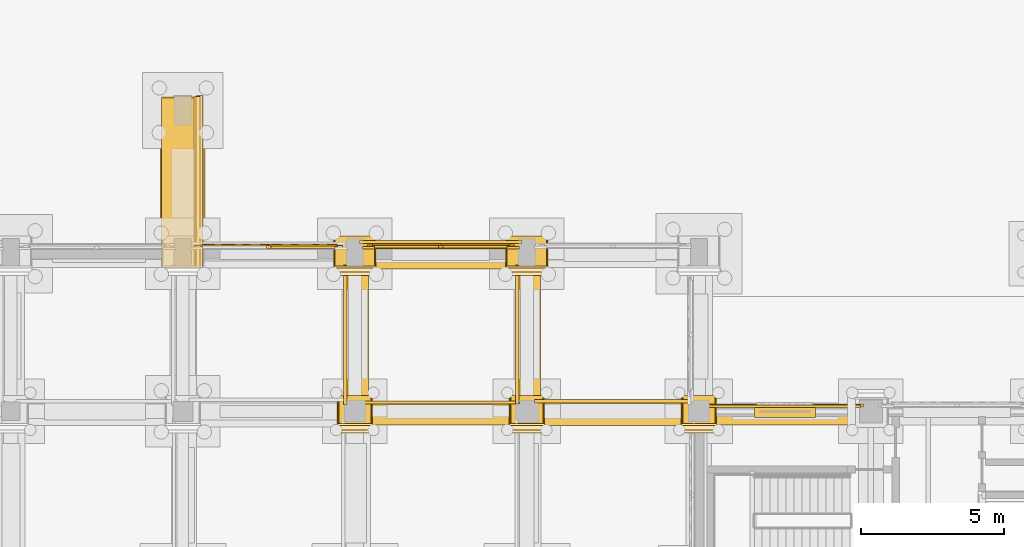
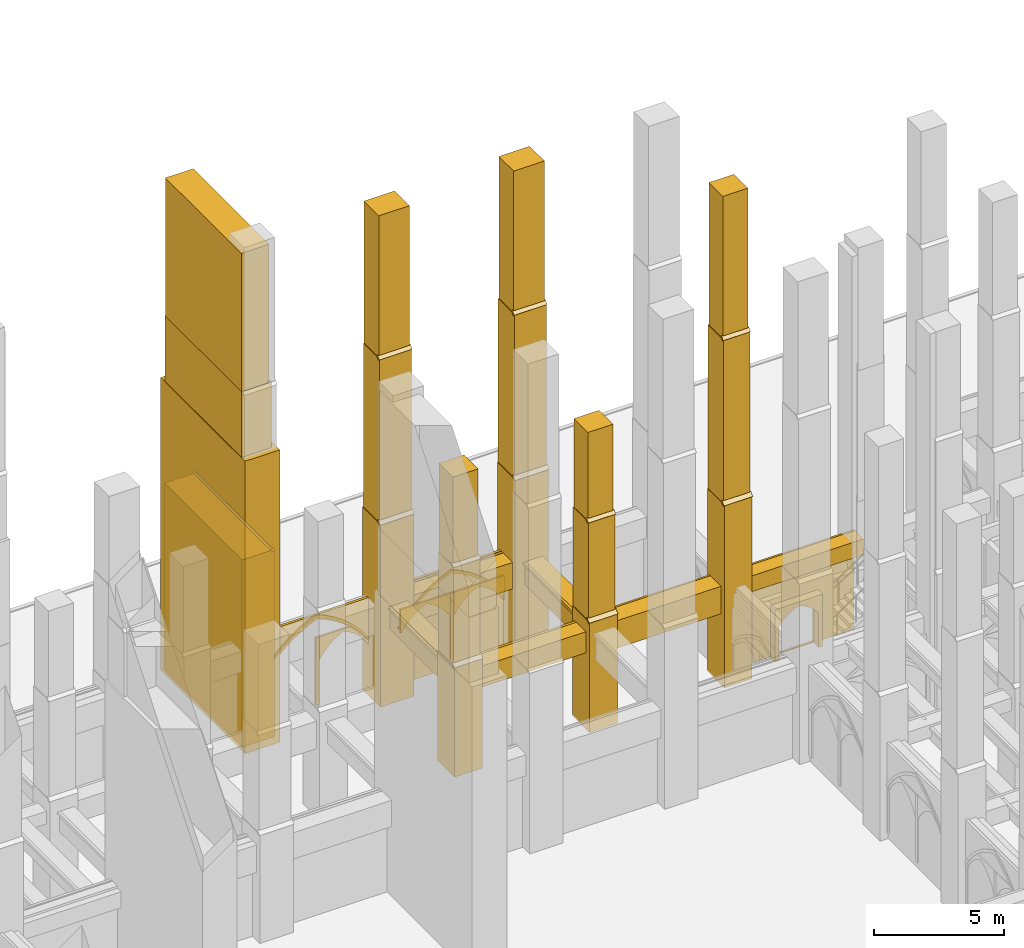
# One storey, part 119 of 135: 55 coverings.
"""IFC4 building model written with IfcOpenShell, lengths in metres."""

from ifc_helpers import new_model, si_unit, direction, frame, origin, origin_2d, place, context, subcontext, project, spatial, polyline, rectangle, outline, extrude, material, type_object, element, save


model = new_model("IFC4")

# Units and contexts
model_context = context("Model", 3, precision=1e-05, world=origin(), true_north=direction((0.0, 1.0)))
body_context = subcontext(model_context, "Body", "Model", "MODEL_VIEW")
ifc_project = project(units=[si_unit("LENGTHUNIT", "METRE"), si_unit("AREAUNIT", "SQUARE_METRE"), si_unit("VOLUMEUNIT", "CUBIC_METRE"), si_unit("PLANEANGLEUNIT", "RADIAN"), si_unit("MASSUNIT", "GRAM", prefix="KILO")], contexts=[model_context])

# Site, building, storey
site_placement = place(None, origin())
site = spatial("IfcSite", under=ifc_project, at=site_placement, CompositionType="ELEMENT")
building_placement = place(site_placement, origin())
building = spatial("IfcBuilding", under=site, at=building_placement, Name="Cumevento Cable Car Station", CompositionType="ELEMENT")
storey_placement = place(building_placement, origin())
storey = spatial("IfcBuildingStorey", under=building, at=storey_placement, Name="L01", CompositionType="ELEMENT", Elevation=0.0)

# Coverings
ifc_material = material(Name="Gnaisse Facoidal Stone Ashlar 85 MPa", Category="masonry")
covering_type = type_object("IfcCoveringType", Name="Gnaisse Ashlar Cladding CV-CL01", PredefinedType="CLADDING", material=ifc_material)
covering_1_placement = place(storey_placement, frame((106.0, 50.909912109375, -0.06005859375), z_axis=(0.0, 0.0, 1.0), x_axis=(1.0, 0.0, 0.0)))
element("IfcCovering", 1, at=covering_1_placement, inside=storey, type_object=covering_type, Name="Stepped Gothic Stone Buttress Tier 1 bt:106.0:51.0", PredefinedType="CLADDING", context=body_context, shape_type="SweptSolid", body=[
    extrude(rectangle(XDim=1.239990234375, YDim=1.300048828125, at=origin_2d()), origin(), (0.0, 0.0, 1.0), 5.175537109375),
])
covering_2_placement = place(storey_placement, frame((105.360107421875, 50.239990234375, 5.095703125), z_axis=(0.0, -0.711135781079, 0.703054692658), x_axis=(1.0, 0.0, 0.0)))
element("IfcCovering", 2, at=covering_2_placement, inside=storey, type_object=covering_type, Name="Gothic Buttress Sloped Stone Weathering 1 bt:106.0:51.0", PredefinedType="CLADDING", context=body_context, shape_type="SweptSolid", body=[
    extrude(outline(polyline([(0.0, 0.0), (1.27978515625, 0.0), (1.27978515625, 0.24169083397703695), (0.0, 0.24169083397703695), (0.0, 0.0)])), origin(), (0.0, 0.0, -1.0), 0.090087890625),
])
covering_3_placement = place(storey_placement, frame((106.0, 50.969970703125, 4.84326171875), z_axis=(0.0, 0.0, 1.0), x_axis=(1.0, 0.0, 0.0)))
element("IfcCovering", 3, at=covering_3_placement, inside=storey, type_object=covering_type, Name="Stepped Gothic Stone Buttress Tier 2 bt:106.0:51.0", PredefinedType="CLADDING", context=body_context, shape_type="SweptSolid", body=[
    extrude(rectangle(XDim=1.179931640625, YDim=1.179931640625, at=origin_2d()), origin(), (0.0, 0.0, 1.0), 4.9033203125),
])
covering_4_placement = place(storey_placement, frame((105.389892578125, 50.360107421875, 9.726318359375), z_axis=(0.0, -0.714474823669, 0.699661151089), x_axis=(1.0, 0.0, 0.0)))
element("IfcCovering", 4, at=covering_4_placement, inside=storey, type_object=covering_type, Name="Gothic Buttress Sloped Stone Weathering 2 bt:106.0:51.0", PredefinedType="CLADDING", context=body_context, shape_type="SweptSolid", body=[
    extrude(outline(polyline([(0.0, 0.0), (1.22021484375, 0.0), (1.22021484375, 0.21424991728737655), (0.0, 0.21424991728737655), (0.0, 0.0)])), origin(), (0.0, 0.0, -1.0), 0.090087890625),
])
covering_5_placement = place(storey_placement, frame((106.0, 51.02001953125, 9.47412109375), z_axis=(0.0, 0.0, 1.0), x_axis=(1.0, 0.0, 0.0)))
element("IfcCovering", 5, at=covering_5_placement, inside=storey, type_object=covering_type, Name="Stepped Gothic Stone Buttress Tier 3 bt:106.0:51.0", PredefinedType="CLADDING", context=body_context, shape_type="SweptSolid", body=[
    extrude(rectangle(XDim=1.1201171875, YDim=1.080078125, at=origin_2d()), origin(), (0.0, 0.0, 1.0), 4.426025390625),
])
covering_6_placement = place(storey_placement, frame((106.0, 56.4423828125, -0.06005859375), z_axis=(0.0, 0.0, 1.0), x_axis=(1.0, 0.0, 0.0)))
element("IfcCovering", 6, at=covering_6_placement, inside=storey, type_object=covering_type, Name="Stepped Gothic Stone Buttress Tier 1 bt:106.0:56.5", PredefinedType="CLADDING", context=body_context, shape_type="SweptSolid", body=[
    extrude(rectangle(XDim=1.489990234375, YDim=1.364990234375, at=origin_2d()), origin(), (0.0, 0.0, 1.0), 8.595703125),
])
covering_7_placement = place(storey_placement, frame((105.235107421875, 55.739990234375, 8.515625), z_axis=(0.0, -0.711135781079, 0.703054692658), x_axis=(1.0, 0.0, 0.0)))
element("IfcCovering", 7, at=covering_7_placement, inside=storey, type_object=covering_type, Name="Gothic Buttress Sloped Stone Weathering 1 bt:106.0:56.5", PredefinedType="CLADDING", context=body_context, shape_type="SweptSolid", body=[
    extrude(outline(polyline([(0.0, 0.0), (1.52978515625, 0.0), (1.52978515625, 0.24169083397703695), (0.0, 0.24169083397703695), (0.0, 0.0)])), origin(), (0.0, 0.0, -1.0), 0.090087890625),
])
covering_8_placement = place(storey_placement, frame((106.0, 56.50244140625, 8.0830078125), z_axis=(0.0, 0.0, 1.0), x_axis=(1.0, 0.0, 0.0)))
element("IfcCovering", 8, at=covering_8_placement, inside=storey, type_object=covering_type, Name="Stepped Gothic Stone Buttress Tier 2 bt:106.0:56.5", PredefinedType="CLADDING", context=body_context, shape_type="SweptSolid", body=[
    extrude(rectangle(XDim=1.429931640625, YDim=1.2451171875, at=origin_2d()), origin(), (0.0, 0.0, 1.0), 8.143310546875),
])
covering_9_placement = place(storey_placement, frame((105.264892578125, 55.860107421875, 16.206298828125), z_axis=(0.0, -0.714474823669, 0.699661151089), x_axis=(1.0, 0.0, 0.0)))
element("IfcCovering", 9, at=covering_9_placement, inside=storey, type_object=covering_type, Name="Gothic Buttress Sloped Stone Weathering 2 bt:106.0:56.5", PredefinedType="CLADDING", context=body_context, shape_type="SweptSolid", body=[
    extrude(outline(polyline([(0.0, 0.0), (1.47021484375, 0.0), (1.47021484375, 0.21424991728737658), (0.0, 0.21424991728737658), (0.0, 0.0)])), origin(), (0.0, 0.0, -1.0), 0.090087890625),
])
covering_10_placement = place(storey_placement, frame((106.0, 56.552490234375, 15.77392578125), z_axis=(0.0, 0.0, 1.0), x_axis=(1.0, 0.0, 0.0)))
element("IfcCovering", 10, at=covering_10_placement, inside=storey, type_object=covering_type, Name="Stepped Gothic Stone Buttress Tier 3 bt:106.0:56.5", PredefinedType="CLADDING", context=body_context, shape_type="SweptSolid", body=[
    extrude(rectangle(XDim=1.3701171875, YDim=1.14501953125, at=origin_2d()), origin(), (0.0, 0.0, 1.0), 7.1259765625),
])
covering_11_placement = place(storey_placement, frame((112.0, 50.909912109375, -0.06005859375), z_axis=(0.0, 0.0, 1.0), x_axis=(1.0, 0.0, 0.0)))
element("IfcCovering", 11, at=covering_11_placement, inside=storey, type_object=covering_type, Name="Stepped Gothic Stone Buttress Tier 1 bt:112.0:51.0", PredefinedType="CLADDING", context=body_context, shape_type="SweptSolid", body=[
    extrude(rectangle(XDim=1.239990234375, YDim=1.300048828125, at=origin_2d()), origin(), (0.0, 0.0, 1.0), 5.175537109375),
])
covering_12_placement = place(storey_placement, frame((111.360107421875, 50.239990234375, 5.095703125), z_axis=(0.0, -0.711135781079, 0.703054692658), x_axis=(1.0, 0.0, 0.0)))
element("IfcCovering", 12, at=covering_12_placement, inside=storey, type_object=covering_type, Name="Gothic Buttress Sloped Stone Weathering 1 bt:112.0:51.0", PredefinedType="CLADDING", context=body_context, shape_type="SweptSolid", body=[
    extrude(outline(polyline([(0.0, 0.0), (1.27978515625, 0.0), (1.27978515625, 0.24169083397703695), (0.0, 0.24169083397703695), (0.0, 0.0)])), origin(), (0.0, 0.0, -1.0), 0.090087890625),
])
covering_13_placement = place(storey_placement, frame((112.0, 50.969970703125, 4.84326171875), z_axis=(0.0, 0.0, 1.0), x_axis=(1.0, 0.0, 0.0)))
element("IfcCovering", 13, at=covering_13_placement, inside=storey, type_object=covering_type, Name="Stepped Gothic Stone Buttress Tier 2 bt:112.0:51.0", PredefinedType="CLADDING", context=body_context, shape_type="SweptSolid", body=[
    extrude(rectangle(XDim=1.179931640625, YDim=1.179931640625, at=origin_2d()), origin(), (0.0, 0.0, 1.0), 4.9033203125),
])
covering_14_placement = place(storey_placement, frame((111.389892578125, 50.360107421875, 9.726318359375), z_axis=(0.0, -0.714474823669, 0.699661151089), x_axis=(1.0, 0.0, 0.0)))
element("IfcCovering", 14, at=covering_14_placement, inside=storey, type_object=covering_type, Name="Gothic Buttress Sloped Stone Weathering 2 bt:112.0:51.0", PredefinedType="CLADDING", context=body_context, shape_type="SweptSolid", body=[
    extrude(outline(polyline([(0.0, 0.0), (1.22021484375, 0.0), (1.22021484375, 0.21424991728737655), (0.0, 0.21424991728737655), (0.0, 0.0)])), origin(), (0.0, 0.0, -1.0), 0.090087890625),
])
covering_15_placement = place(storey_placement, frame((112.0, 51.02001953125, 9.47412109375), z_axis=(0.0, 0.0, 1.0), x_axis=(1.0, 0.0, 0.0)))
element("IfcCovering", 15, at=covering_15_placement, inside=storey, type_object=covering_type, Name="Stepped Gothic Stone Buttress Tier 3 bt:112.0:51.0", PredefinedType="CLADDING", context=body_context, shape_type="SweptSolid", body=[
    extrude(rectangle(XDim=1.1201171875, YDim=1.080078125, at=origin_2d()), origin(), (0.0, 0.0, 1.0), 4.426025390625),
])
covering_16_placement = place(storey_placement, frame((112.0, 56.4423828125, -0.06005859375), z_axis=(0.0, 0.0, 1.0), x_axis=(1.0, 0.0, 0.0)))
element("IfcCovering", 16, at=covering_16_placement, inside=storey, type_object=covering_type, Name="Stepped Gothic Stone Buttress Tier 1 bt:112.0:56.5", PredefinedType="CLADDING", context=body_context, shape_type="SweptSolid", body=[
    extrude(rectangle(XDim=1.489990234375, YDim=1.364990234375, at=origin_2d()), origin(), (0.0, 0.0, 1.0), 8.595703125),
])
covering_17_placement = place(storey_placement, frame((111.235107421875, 55.739990234375, 8.515625), z_axis=(0.0, -0.711135781079, 0.703054692658), x_axis=(1.0, 0.0, 0.0)))
element("IfcCovering", 17, at=covering_17_placement, inside=storey, type_object=covering_type, Name="Gothic Buttress Sloped Stone Weathering 1 bt:112.0:56.5", PredefinedType="CLADDING", context=body_context, shape_type="SweptSolid", body=[
    extrude(outline(polyline([(0.0, 0.0), (1.52978515625, 0.0), (1.52978515625, 0.24169083397703695), (0.0, 0.24169083397703695), (0.0, 0.0)])), origin(), (0.0, 0.0, -1.0), 0.090087890625),
])
covering_18_placement = place(storey_placement, frame((112.0, 56.50244140625, 8.0830078125), z_axis=(0.0, 0.0, 1.0), x_axis=(1.0, 0.0, 0.0)))
element("IfcCovering", 18, at=covering_18_placement, inside=storey, type_object=covering_type, Name="Stepped Gothic Stone Buttress Tier 2 bt:112.0:56.5", PredefinedType="CLADDING", context=body_context, shape_type="SweptSolid", body=[
    extrude(rectangle(XDim=1.429931640625, YDim=1.2451171875, at=origin_2d()), origin(), (0.0, 0.0, 1.0), 8.143310546875),
])
covering_19_placement = place(storey_placement, frame((111.264892578125, 55.860107421875, 16.206298828125), z_axis=(0.0, -0.714474823669, 0.699661151089), x_axis=(1.0, 0.0, 0.0)))
element("IfcCovering", 19, at=covering_19_placement, inside=storey, type_object=covering_type, Name="Gothic Buttress Sloped Stone Weathering 2 bt:112.0:56.5", PredefinedType="CLADDING", context=body_context, shape_type="SweptSolid", body=[
    extrude(outline(polyline([(0.0, 0.0), (1.47021484375, 0.0), (1.47021484375, 0.21424991728737658), (0.0, 0.21424991728737658), (0.0, 0.0)])), origin(), (0.0, 0.0, -1.0), 0.090087890625),
])
covering_20_placement = place(storey_placement, frame((112.0, 56.552490234375, 15.77392578125), z_axis=(0.0, 0.0, 1.0), x_axis=(1.0, 0.0, 0.0)))
element("IfcCovering", 20, at=covering_20_placement, inside=storey, type_object=covering_type, Name="Stepped Gothic Stone Buttress Tier 3 bt:112.0:56.5", PredefinedType="CLADDING", context=body_context, shape_type="SweptSolid", body=[
    extrude(rectangle(XDim=1.3701171875, YDim=1.14501953125, at=origin_2d()), origin(), (0.0, 0.0, 1.0), 7.1259765625),
])
covering_21_placement = place(storey_placement, frame((118.0, 50.909912109375, -0.06005859375), z_axis=(0.0, 0.0, 1.0), x_axis=(1.0, 0.0, 0.0)))
element("IfcCovering", 21, at=covering_21_placement, inside=storey, type_object=covering_type, Name="Stepped Gothic Stone Buttress Tier 1 bt:118.0:51.0", PredefinedType="CLADDING", context=body_context, shape_type="SweptSolid", body=[
    extrude(rectangle(XDim=1.239990234375, YDim=1.300048828125, at=origin_2d()), origin(), (0.0, 0.0, 1.0), 8.595703125),
])
covering_22_placement = place(storey_placement, frame((117.360107421875, 50.239990234375, 8.515625), z_axis=(0.0, -0.711135781079, 0.703054692658), x_axis=(1.0, 0.0, 0.0)))
element("IfcCovering", 22, at=covering_22_placement, inside=storey, type_object=covering_type, Name="Gothic Buttress Sloped Stone Weathering 1 bt:118.0:51.0", PredefinedType="CLADDING", context=body_context, shape_type="SweptSolid", body=[
    extrude(outline(polyline([(0.0, 0.0), (1.27978515625, 0.0), (1.27978515625, 0.24169083397703695), (0.0, 0.24169083397703695), (0.0, 0.0)])), origin(), (0.0, 0.0, -1.0), 0.090087890625),
])
covering_23_placement = place(storey_placement, frame((118.0, 50.969970703125, 8.0830078125), z_axis=(0.0, 0.0, 1.0), x_axis=(1.0, 0.0, 0.0)))
element("IfcCovering", 23, at=covering_23_placement, inside=storey, type_object=covering_type, Name="Stepped Gothic Stone Buttress Tier 2 bt:118.0:51.0", PredefinedType="CLADDING", context=body_context, shape_type="SweptSolid", body=[
    extrude(rectangle(XDim=1.179931640625, YDim=1.179931640625, at=origin_2d()), origin(), (0.0, 0.0, 1.0), 8.143310546875),
])
covering_24_placement = place(storey_placement, frame((117.389892578125, 50.360107421875, 16.206298828125), z_axis=(0.0, -0.714474823669, 0.699661151089), x_axis=(1.0, 0.0, 0.0)))
element("IfcCovering", 24, at=covering_24_placement, inside=storey, type_object=covering_type, Name="Gothic Buttress Sloped Stone Weathering 2 bt:118.0:51.0", PredefinedType="CLADDING", context=body_context, shape_type="SweptSolid", body=[
    extrude(outline(polyline([(0.0, 0.0), (1.22021484375, 0.0), (1.22021484375, 0.21424991728737655), (0.0, 0.21424991728737655), (0.0, 0.0)])), origin(), (0.0, 0.0, -1.0), 0.090087890625),
])
covering_25_placement = place(storey_placement, frame((118.0, 51.02001953125, 15.77392578125), z_axis=(0.0, 0.0, 1.0), x_axis=(1.0, 0.0, 0.0)))
element("IfcCovering", 25, at=covering_25_placement, inside=storey, type_object=covering_type, Name="Stepped Gothic Stone Buttress Tier 3 bt:118.0:51.0", PredefinedType="CLADDING", context=body_context, shape_type="SweptSolid", body=[
    extrude(rectangle(XDim=1.1201171875, YDim=1.080078125, at=origin_2d()), origin(), (0.0, 0.0, 1.0), 7.1259765625),
])
covering_26_placement = place(storey_placement, frame((108.987548828125, 50.89990234375, 3.5400390625), z_axis=(0.0, 0.0, 1.0), x_axis=(1.0, 0.0, 0.0)))
element("IfcCovering", 26, at=covering_26_placement, inside=storey, type_object=covering_type, Name="Gothic Stone Spandrel Stringcourse sc:0143", PredefinedType="CLADDING", context=body_context, shape_type="SweptSolid", body=[
    extrude(rectangle(XDim=5.465087890625, YDim=0.760009765625, at=origin_2d()), origin(), (0.0, 0.0, 1.0), 0.989990234375),
])
covering_27_placement = place(storey_placement, frame((108.987548828125, 51.3076171875, 4.400146484375), z_axis=(0.0, 0.0, 1.0), x_axis=(1.0, 0.0, 0.0)))
element("IfcCovering", 27, at=covering_27_placement, inside=storey, type_object=covering_type, Name="Gothic Cornice Dripstone Lip sc:0143", PredefinedType="CLADDING", context=body_context, shape_type="SweptSolid", body=[
    extrude(rectangle(XDim=5.5048828125, YDim=0.114990234375, at=origin_2d()), origin(), (0.0, 0.0, 1.0), 0.1298828125),
])
covering_28_placement = place(storey_placement, frame((115.012451171875, 50.919921875, 3.278076171875), z_axis=(0.0, 0.0, 1.0), x_axis=(1.0, 0.0, 0.0)))
element("IfcCovering", 28, at=covering_28_placement, inside=storey, type_object=covering_type, Name="Gothic Stone Spandrel Stringcourse sc:0144", PredefinedType="CLADDING", context=body_context, shape_type="SweptSolid", body=[
    extrude(rectangle(XDim=5.465087890625, YDim=0.820068359375, at=origin_2d()), origin(), (0.0, 0.0, 1.0), 1.2900390625),
])
covering_29_placement = place(storey_placement, frame((115.012451171875, 51.357421875, 4.43798828125), z_axis=(0.0, 0.0, 1.0), x_axis=(1.0, 0.0, 0.0)))
element("IfcCovering", 29, at=covering_29_placement, inside=storey, type_object=covering_type, Name="Gothic Cornice Dripstone Lip sc:0144", PredefinedType="CLADDING", context=body_context, shape_type="SweptSolid", body=[
    extrude(rectangle(XDim=5.5048828125, YDim=0.114990234375, at=origin_2d()), origin(), (0.0, 0.0, 1.0), 0.1298828125),
])
covering_30_placement = place(storey_placement, frame((109.0, 56.419921875, 3.2900390625), z_axis=(0.0, 0.0, 1.0), x_axis=(1.0, 0.0, 0.0)))
element("IfcCovering", 30, at=covering_30_placement, inside=storey, type_object=covering_type, Name="Gothic Stone Spandrel Stringcourse sc:0148", PredefinedType="CLADDING", context=body_context, shape_type="SweptSolid", body=[
    extrude(rectangle(XDim=5.639892578125, YDim=0.919921875, at=origin_2d()), origin(), (0.0, 0.0, 1.0), 1.239990234375),
])
covering_31_placement = place(storey_placement, frame((109.0, 56.907470703125, 4.400146484375), z_axis=(0.0, 0.0, 1.0), x_axis=(1.0, 0.0, 0.0)))
element("IfcCovering", 31, at=covering_31_placement, inside=storey, type_object=covering_type, Name="Gothic Cornice Dripstone Lip sc:0148", PredefinedType="CLADDING", context=body_context, shape_type="SweptSolid", body=[
    extrude(rectangle(XDim=5.679931640625, YDim=0.114990234375, at=origin_2d()), origin(), (0.0, 0.0, 1.0), 0.1298828125),
])
covering_32_placement = place(storey_placement, frame((106.08740234375, 53.675048828125, 3.43994140625), z_axis=(0.0, 0.0, 1.0), x_axis=(0.0, 1.0, 0.0)))
element("IfcCovering", 32, at=covering_32_placement, inside=storey, type_object=covering_type, Name="Gothic Stone Spandrel Stringcourse sc:0155", PredefinedType="CLADDING", context=body_context, shape_type="SweptSolid", body=[
    extrude(rectangle(XDim=4.840087890625, YDim=0.784912109375, at=origin_2d()), origin(), (0.0, 0.0, 1.0), 1.090087890625),
])
covering_33_placement = place(storey_placement, frame((105.66748046875, 53.675048828125, 4.400146484375), z_axis=(0.0, 0.0, 1.0), x_axis=(0.0, 1.0, 0.0)))
element("IfcCovering", 33, at=covering_33_placement, inside=storey, type_object=covering_type, Name="Gothic Cornice Dripstone Lip sc:0155", PredefinedType="CLADDING", context=body_context, shape_type="SweptSolid", body=[
    extrude(rectangle(XDim=4.8798828125, YDim=0.114990234375, at=origin_2d()), origin(), (0.0, 0.0, 1.0), 0.1298828125),
])
covering_34_placement = place(storey_placement, frame((112.08740234375, 53.6875, 3.43994140625), z_axis=(0.0, 0.0, 1.0), x_axis=(0.0, 1.0, 0.0)))
element("IfcCovering", 34, at=covering_34_placement, inside=storey, type_object=covering_type, Name="Gothic Stone Spandrel Stringcourse sc:0157", PredefinedType="CLADDING", context=body_context, shape_type="SweptSolid", body=[
    extrude(rectangle(XDim=4.81494140625, YDim=0.784912109375, at=origin_2d()), origin(), (0.0, 0.0, 1.0), 1.090087890625),
])
covering_35_placement = place(storey_placement, frame((111.66748046875, 53.6875, 4.400146484375), z_axis=(0.0, 0.0, 1.0), x_axis=(0.0, 1.0, 0.0)))
element("IfcCovering", 35, at=covering_35_placement, inside=storey, type_object=covering_type, Name="Gothic Cornice Dripstone Lip sc:0157", PredefinedType="CLADDING", context=body_context, shape_type="SweptSolid", body=[
    extrude(rectangle(XDim=4.85498046875, YDim=0.114990234375, at=origin_2d()), origin(), (0.0, 0.0, 1.0), 0.1298828125),
])
covering_36_placement = place(storey_placement, frame((120.987548828125, 50.85009765625, 3.821044921875), z_axis=(0.0, 0.0, 1.0), x_axis=(1.0, 0.0, 0.0)))
element("IfcCovering", 36, at=covering_36_placement, inside=storey, type_object=covering_type, Name="Gothic Stone Spandrel Stringcourse sc:0230", PredefinedType="CLADDING", context=body_context, shape_type="SweptSolid", body=[
    extrude(rectangle(XDim=5.465087890625, YDim=0.659912109375, at=origin_2d()), origin(), (0.0, 0.0, 1.0), 0.7470703125),
])
covering_37_placement = place(storey_placement, frame((120.987548828125, 51.20751953125, 4.43798828125), z_axis=(0.0, 0.0, 1.0), x_axis=(1.0, 0.0, 0.0)))
element("IfcCovering", 37, at=covering_37_placement, inside=storey, type_object=covering_type, Name="Gothic Cornice Dripstone Lip sc:0230", PredefinedType="CLADDING", context=body_context, shape_type="SweptSolid", body=[
    extrude(rectangle(XDim=5.5048828125, YDim=0.114990234375, at=origin_2d()), origin(), (0.0, 0.0, 1.0), 0.1298828125),
])
covering_38_placement = place(storey_placement, frame((100.0, 59.0, -0.125), z_axis=(0.0, 0.0, 1.0), x_axis=(1.0, 0.0, 0.0)))
element("IfcCovering", 38, at=covering_38_placement, inside=storey, type_object=covering_type, Name="Cabin Portal Flanking Stone Tower Base #1", PredefinedType="CLADDING", context=body_context, shape_type="SweptSolid", body=[
    extrude(rectangle(XDim=1.550048828125, YDim=6.5, at=origin_2d()), origin(), (0.0, 0.0, 1.0), 13.75),
])
covering_39_placement = place(storey_placement, frame((99.965087890625, 59.0, 0.0), z_axis=(0.0, 0.0, 1.0), x_axis=(0.0, 1.0, 0.0)))
element("IfcCovering", 39, at=covering_39_placement, inside=storey, type_object=covering_type, Name="Stepped Gothic Stone Buttress Tier 1 ptl_butt_s:1:100", PredefinedType="CLADDING", context=body_context, shape_type="SweptSolid", body=[
    extrude(rectangle(XDim=5.97998046875, YDim=1.429931640625, at=origin_2d()), origin(), (0.0, 0.0, 1.0), 8.81591796875),
])
covering_40_placement = place(storey_placement, frame((100.699951171875, 55.989990234375, 8.7958984375), z_axis=(0.714474823669, 0.0, 0.699661151089), x_axis=(0.0, 1.0, 0.0)))
element("IfcCovering", 40, at=covering_40_placement, inside=storey, type_object=covering_type, Name="Gothic Buttress Sloped Stone Weathering 1 ptl_butt_s:1:100", PredefinedType="CLADDING", context=body_context, shape_type="SweptSolid", body=[
    extrude(outline(polyline([(0.0, 0.0), (6.02001953125, 0.0), (6.02001953125, 0.21424991728737658), (0.0, 0.21424991728737658), (0.0, 0.0)])), origin(), (0.0, 0.0, -1.0), 0.090087890625),
])
covering_41_placement = place(storey_placement, frame((99.9150390625, 59.0, 8.35205078125), z_axis=(0.0, 0.0, 1.0), x_axis=(0.0, 1.0, 0.0)))
element("IfcCovering", 41, at=covering_41_placement, inside=storey, type_object=covering_type, Name="Stepped Gothic Stone Buttress Tier 2 ptl_butt_s:1:100", PredefinedType="CLADDING", context=body_context, shape_type="SweptSolid", body=[
    extrude(rectangle(XDim=5.919921875, YDim=1.330078125, at=origin_2d()), origin(), (0.0, 0.0, 1.0), 8.35205078125),
])
covering_42_placement = place(storey_placement, frame((100.60009765625, 56.02001953125, 16.68408203125), z_axis=(0.714979608129, 0.0, 0.699145306757), x_axis=(0.0, 1.0, 0.0)))
element("IfcCovering", 42, at=covering_42_placement, inside=storey, type_object=covering_type, Name="Gothic Buttress Sloped Stone Weathering 2 ptl_butt_s:1:100", PredefinedType="CLADDING", context=body_context, shape_type="SweptSolid", body=[
    extrude(outline(polyline([(0.0, 0.0), (5.9599609375, 0.0), (5.9599609375, 0.20044004786376446), (0.0, 0.20044004786376446), (0.0, 0.0)])), origin(), (0.0, 0.0, -1.0), 0.090087890625),
])
covering_43_placement = place(storey_placement, frame((99.8701171875, 59.0, 16.239990234375), z_axis=(0.0, 0.0, 1.0), x_axis=(0.0, 1.0, 0.0)))
element("IfcCovering", 43, at=covering_43_placement, inside=storey, type_object=covering_type, Name="Stepped Gothic Stone Buttress Tier 3 ptl_butt_s:1:100", PredefinedType="CLADDING", context=body_context, shape_type="SweptSolid", body=[
    extrude(rectangle(XDim=5.860107421875, YDim=1.239990234375, at=origin_2d()), origin(), (0.0, 0.0, 1.0), 6.9599609375),
])
placement_1 = place(storey_placement, frame((100.47998046875, 56.5, 0.300048828125), z_axis=(0.0, 0.0, 1.0), x_axis=(1.0, 0.0, 0.0)))
element("IfcCovering", 44, at=placement_1, inside=storey, type_object=covering_type, Name="Gothic Ogival Pointed-Arch Stone Spandrel blind_ogival:0044", PredefinedType="CLADDING", context=body_context, shape_type="SweptSolid", body=[
    extrude(outline(polyline([(-0.050048828125, 0.0), (-0.050048828125, 4.239990234375), (5.090087890625, 4.239990234375), (5.090087890625, 0.0), (4.780029296875, 0.0), (4.780029296875, 2.219970703125), (4.531982421875, 2.55810546875), (4.255126953125, 2.872802734375), (3.951416015625, 3.161865234375), (3.62353515625, 3.423095703125), (3.273681640625, 3.654296875), (2.905029296875, 3.853759765625), (2.52001953125, 4.02001953125), (2.135009765625, 3.853759765625), (1.766357421875, 3.654296875), (1.41650390625, 3.423095703125), (1.088623046875, 3.161865234375), (0.784912109375, 2.872802734375), (0.508056640625, 2.55810546875), (0.260009765625, 2.219970703125), (0.260009765625, 0.0), (-0.050048828125, 0.0)])), frame((0.0, 0.29248046875, 0.0), z_axis=(0.0, -1.0, 0.0), x_axis=(1.0, 0.0, 0.0)), (0.0, 0.0, 1.0), 0.110107421875),
])
covering_45_placement = place(storey_placement, frame((100.47998046875, 56.5, 2.52001953125), z_axis=(0.0, 0.0, 1.0), x_axis=(1.0, 0.0, 0.0)))
element("IfcCovering", 45, at=covering_45_placement, inside=storey, type_object=covering_type, Name="Gothic Pointed Archivolt Hood Moulding blind_ogival:0044", PredefinedType="CLADDING", context=body_context, shape_type="SweptSolid", body=[
    extrude(outline(polyline([(0.260009765625, 0.0), (0.508056640625, 0.338134765625), (0.784912109375, 0.65283203125), (1.088623046875, 0.94189453125), (1.41650390625, 1.203125), (1.766357421875, 1.434326171875), (2.135009765625, 1.6337890625), (2.52001953125, 1.800048828125), (2.905029296875, 1.6337890625), (3.273681640625, 1.434326171875), (3.62353515625, 1.203125), (3.951416015625, 0.94189453125), (4.255126953125, 0.65283203125), (4.531982421875, 0.338134765625), (4.780029296875, 0.0), (4.90087890625, 0.0), (4.6435546875, 0.365478515625), (4.354248046875, 0.706298828125), (4.03564453125, 1.01953125), (3.689697265625, 1.302978515625), (3.31982421875, 1.553955078125), (2.928955078125, 1.770751953125), (2.52001953125, 1.951171875), (2.111083984375, 1.770751953125), (1.72021484375, 1.553955078125), (1.350341796875, 1.302978515625), (1.00439453125, 1.01953125), (0.685791015625, 0.706298828125), (0.396484375, 0.365478515625), (0.138916015625, 0.0), (0.260009765625, 0.0)])), frame((0.0, 0.33447265625, 0.0), z_axis=(0.0, -1.0, 0.0), x_axis=(1.0, 0.0, 0.0)), (0.0, 0.0, 1.0), 0.06689453125),
])
element("IfcCovering", 46, at=placement_1, inside=storey, type_object=covering_type, Name="Gothic Bifora Stone Colonnette blind_ogival:0044 #1", PredefinedType="CLADDING", context=body_context, shape_type="SweptSolid", body=[
    extrude(outline(polyline([(2.445068359375, -0.02001953125), (2.594970703125, -0.02001953125), (2.594970703125, 3.156005859375), (2.445068359375, 3.156005859375), (2.445068359375, -0.02001953125)])), frame((0.0, 0.280517578125, 0.0), z_axis=(0.0, -1.0, 0.0), x_axis=(1.0, 0.0, 0.0)), (0.0, 0.0, 1.0), 0.094970703125),
])
covering_47_placement = place(storey_placement, frame((103.044921875, 56.5, 2.340087890625), z_axis=(0.0, 0.0, 1.0), x_axis=(1.0, 0.0, 0.0)))
element("IfcCovering", 47, at=covering_47_placement, inside=storey, type_object=covering_type, Name="Gothic Ogival Pointed-Arch Stone Spandrel blind_ogival:0044:sub:1", PredefinedType="CLADDING", context=body_context, shape_type="SweptSolid", body=[
    extrude(outline(polyline([(-0.02001953125, 0.0), (-0.02001953125, 1.115966796875), (2.264892578125, 1.115966796875), (2.264892578125, 0.0), (2.205078125, 0.0), (2.076171875, 0.214111328125), (1.923828125, 0.412109375), (1.75, 0.591552734375), (1.556640625, 0.75), (1.3466796875, 0.88525390625), (1.12255859375, 0.99609375), (0.8984375, 0.88525390625), (0.6884765625, 0.75), (0.4951171875, 0.591552734375), (0.3212890625, 0.412109375), (0.1689453125, 0.214111328125), (0.0400390625, 0.0), (-0.02001953125, 0.0)])), frame((0.0, 0.276611328125, 0.0), z_axis=(0.0, -1.0, 0.0), x_axis=(1.0, 0.0, 0.0)), (0.0, 0.0, 1.0), 0.090087890625),
])
covering_48_placement = place(storey_placement, frame((106.300048828125, 56.5, 0.0), z_axis=(0.0, 0.0, 1.0), x_axis=(1.0, 0.0, 0.0)))
element("IfcCovering", 48, at=covering_48_placement, inside=storey, type_object=covering_type, Name="Exterior Gnaisse Stone Wall Ashlar #45", PredefinedType="CLADDING", context=body_context, shape_type="SweptSolid", body=[
    extrude(outline(polyline([(-0.0400390625, -0.02001953125), (5.43994140625, -0.02001953125), (5.43994140625, 4.52001953125), (-0.0400390625, 4.52001953125), (-0.0400390625, -0.02001953125)])), frame((0.0, 0.25, 0.0), z_axis=(0.0, -1.0, 0.0), x_axis=(1.0, 0.0, 0.0)), (0.0, 0.0, 1.0), 0.0849609375),
])
placement_2 = place(storey_placement, frame((106.47998046875, 56.5, 0.300048828125), z_axis=(0.0, 0.0, 1.0), x_axis=(1.0, 0.0, 0.0)))
element("IfcCovering", 49, at=placement_2, inside=storey, type_object=covering_type, Name="Gothic Ogival Pointed-Arch Stone Spandrel blind_ogival:0045", PredefinedType="CLADDING", context=body_context, shape_type="SweptSolid", body=[
    extrude(outline(polyline([(-0.050048828125, 0.0), (-0.050048828125, 4.239990234375), (5.090087890625, 4.239990234375), (5.090087890625, 0.0), (4.780029296875, 0.0), (4.780029296875, 2.219970703125), (4.531982421875, 2.55810546875), (4.255126953125, 2.872802734375), (3.951416015625, 3.161865234375), (3.62353515625, 3.423095703125), (3.273681640625, 3.654296875), (2.905029296875, 3.853759765625), (2.52001953125, 4.02001953125), (2.135009765625, 3.853759765625), (1.766357421875, 3.654296875), (1.41650390625, 3.423095703125), (1.088623046875, 3.161865234375), (0.784912109375, 2.872802734375), (0.508056640625, 2.55810546875), (0.260009765625, 2.219970703125), (0.260009765625, 0.0), (-0.050048828125, 0.0)])), frame((0.0, 0.304931640625, 0.0), z_axis=(0.0, -1.0, 0.0), x_axis=(1.0, 0.0, 0.0)), (0.0, 0.0, 1.0), 0.110107421875),
])
covering_50_placement = place(storey_placement, frame((106.47998046875, 56.5, 2.52001953125), z_axis=(0.0, 0.0, 1.0), x_axis=(1.0, 0.0, 0.0)))
element("IfcCovering", 50, at=covering_50_placement, inside=storey, type_object=covering_type, Name="Gothic Pointed Archivolt Hood Moulding blind_ogival:0045", PredefinedType="CLADDING", context=body_context, shape_type="SweptSolid", body=[
    extrude(outline(polyline([(0.260009765625, 0.0), (0.508056640625, 0.338134765625), (0.784912109375, 0.65283203125), (1.088623046875, 0.94189453125), (1.41650390625, 1.203125), (1.766357421875, 1.434326171875), (2.135009765625, 1.6337890625), (2.52001953125, 1.800048828125), (2.905029296875, 1.6337890625), (3.273681640625, 1.434326171875), (3.62353515625, 1.203125), (3.951416015625, 0.94189453125), (4.255126953125, 0.65283203125), (4.531982421875, 0.338134765625), (4.780029296875, 0.0), (4.90087890625, 0.0), (4.6435546875, 0.365478515625), (4.354248046875, 0.706298828125), (4.03564453125, 1.01953125), (3.689697265625, 1.302978515625), (3.31982421875, 1.553955078125), (2.928955078125, 1.770751953125), (2.52001953125, 1.951171875), (2.111083984375, 1.770751953125), (1.72021484375, 1.553955078125), (1.350341796875, 1.302978515625), (1.00439453125, 1.01953125), (0.685791015625, 0.706298828125), (0.396484375, 0.365478515625), (0.138916015625, 0.0), (0.260009765625, 0.0)])), frame((0.0, 0.346923828125, 0.0), z_axis=(0.0, -1.0, 0.0), x_axis=(1.0, 0.0, 0.0)), (0.0, 0.0, 1.0), 0.06689453125),
])
element("IfcCovering", 51, at=placement_2, inside=storey, type_object=covering_type, Name="Gothic Bifora Stone Colonnette blind_ogival:0045 #1", PredefinedType="CLADDING", context=body_context, shape_type="SweptSolid", body=[
    extrude(outline(polyline([(2.445068359375, -0.02001953125), (2.594970703125, -0.02001953125), (2.594970703125, 3.156005859375), (2.445068359375, 3.156005859375), (2.445068359375, -0.02001953125)])), frame((0.0, 0.29296875, 0.0), z_axis=(0.0, -1.0, 0.0), x_axis=(1.0, 0.0, 0.0)), (0.0, 0.0, 1.0), 0.094970703125),
])
for number, where, z_axis, x_axis, name in (
    (52, (106.7099609375, 56.5, 2.340087890625), (0.0, 0.0, 1.0), (1.0, 0.0, 0.0), "Gothic Ogival Pointed-Arch Stone Spandrel blind_ogival:0045:sub:0"),
    (53, (109.044921875, 56.5, 2.340087890625), (0.0, 0.0, 1.0), (1.0, 0.0, 0.0), "Gothic Ogival Pointed-Arch Stone Spandrel blind_ogival:0045:sub:1"),
):
    element("IfcCovering", number, at=place(storey_placement, frame(where, z_axis=z_axis, x_axis=x_axis)), inside=storey, type_object=covering_type, Name=name, PredefinedType="CLADDING", context=body_context, shape_type="SweptSolid", body=[
        extrude(outline(polyline([(-0.02001953125, 0.0), (-0.02001953125, 1.115966796875), (2.264892578125, 1.115966796875), (2.264892578125, 0.0), (2.205078125, 0.0), (2.076171875, 0.214111328125), (1.923828125, 0.412109375), (1.75, 0.591552734375), (1.556640625, 0.75), (1.3466796875, 0.88525390625), (1.12255859375, 0.99609375), (0.8984375, 0.88525390625), (0.6884765625, 0.75), (0.4951171875, 0.591552734375), (0.3212890625, 0.412109375), (0.1689453125, 0.214111328125), (0.0400390625, 0.0), (-0.02001953125, 0.0)])), frame((0.0, 0.2890625, 0.0), z_axis=(0.0, -1.0, 0.0), x_axis=(1.0, 0.0, 0.0)), (0.0, 0.0, 1.0), 0.090087890625),
    ])
covering_52_placement = place(storey_placement, frame((118.375, 51.0, 0.0), z_axis=(0.0, 0.0, 1.0), x_axis=(1.0, 0.0, 0.0)))
element("IfcCovering", 54, at=covering_52_placement, inside=storey, type_object=covering_type, Name="Exterior Gnaisse Stone Wall Ashlar #168", PredefinedType="CLADDING", context=body_context, shape_type="SweptSolid", body=[
    extrude(outline(polyline([(-0.0400390625, -0.02001953125), (5.264892578125, -0.02001953125), (5.264892578125, 3.90087890625), (-0.0400390625, 3.90087890625), (-0.0400390625, -0.02001953125)]), holes=[polyline([(1.7548828125, 0.02001953125), (3.4951171875, 0.02001953125), (3.4951171875, 2.169921875), (1.7548828125, 2.169921875), (1.7548828125, 0.02001953125)])]), frame((0.0, 0.222412109375, 0.0), z_axis=(0.0, -1.0, 0.0), x_axis=(1.0, 0.0, 0.0)), (0.0, 0.0, 1.0), 0.0849609375),
])
covering_53_placement = place(storey_placement, frame((119.97998046875, 51.0, -0.050048828125), z_axis=(0.0, 0.0, 1.0), x_axis=(1.0, 0.0, 0.0)))
element("IfcCovering", 55, at=covering_53_placement, inside=storey, type_object=covering_type, Name="Gothic Ogival Pointed-Arch Stone Spandrel op_ogival:0168:1", PredefinedType="CLADDING", context=body_context, shape_type="SweptSolid", body=[
    extrude(outline(polyline([(-0.0400390625, 0.0), (-0.0400390625, 2.449951171875), (2.080078125, 2.449951171875), (2.080078125, 0.0), (1.89990234375, 0.0), (1.89990234375, 1.61962890625), (1.800048828125, 1.74267578125), (1.68994140625, 1.856689453125), (1.57080078125, 1.961181640625), (1.443359375, 2.055419921875), (1.308349609375, 2.138671875), (1.1669921875, 2.21044921875), (1.02001953125, 2.27001953125), (0.873046875, 2.21044921875), (0.731689453125, 2.138671875), (0.5966796875, 2.055419921875), (0.46923828125, 1.961181640625), (0.35009765625, 1.856689453125), (0.239990234375, 1.74267578125), (0.139892578125, 1.61962890625), (0.139892578125, 0.0), (-0.0400390625, 0.0)])), frame((0.0, 0.260498046875, 0.0), z_axis=(0.0, -1.0, 0.0), x_axis=(1.0, 0.0, 0.0)), (0.0, 0.0, 1.0), 0.47509765625),
])

save(model, "model.ifc")
